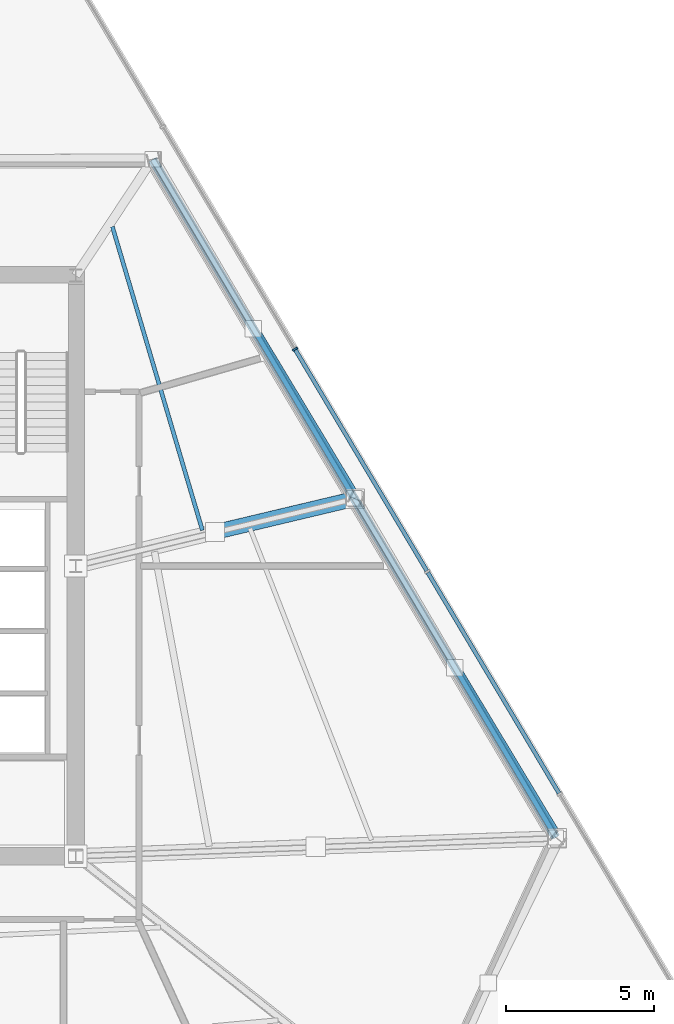
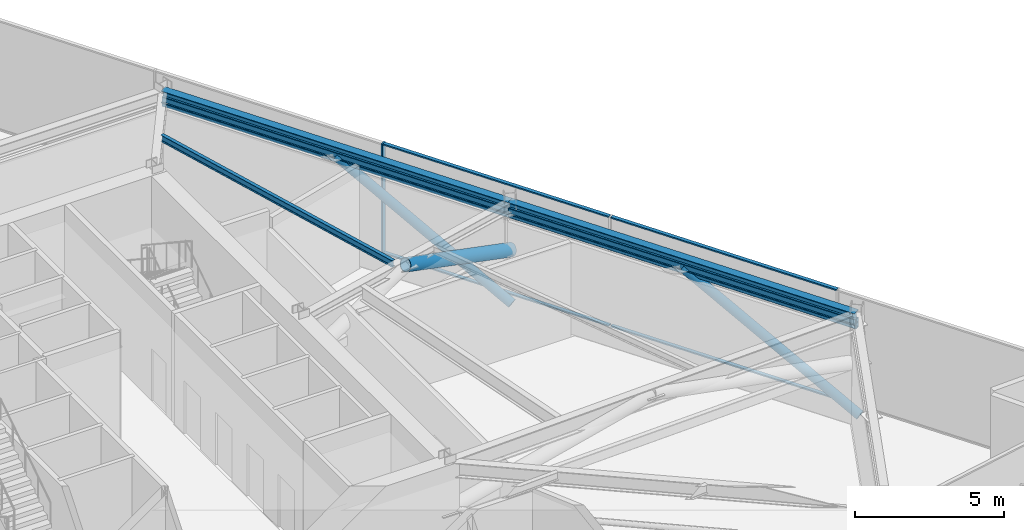
# One storey, part 6 of 16: 10 members, 3 beams, 1 element without a shape of its own.
"""IFC4 building model written with IfcOpenShell, lengths in metres."""

from ifc_helpers import new_model, si_unit, direction, frame, origin, origin_2d, place, context, subcontext, project, spatial, rectangle, hollow_rectangle, hollow_circle, i_section, extrude, material, material_profile, profile_set, type_object, element, aggregate, save


model = new_model("IFC4")

# Units and contexts
model_context = context("Model", 3, precision=1e-05, world=origin(), true_north=direction((0.0, 1.0)))
body_context = subcontext(model_context, "Body", "Model", "MODEL_VIEW")
ifc_project = project(units=[si_unit("LENGTHUNIT", "METRE"), si_unit("AREAUNIT", "SQUARE_METRE"), si_unit("VOLUMEUNIT", "CUBIC_METRE"), si_unit("PLANEANGLEUNIT", "RADIAN"), si_unit("MASSUNIT", "GRAM", prefix="KILO")], contexts=[model_context])

# Site, building, storey
site_placement = place(None, origin())
site = spatial("IfcSite", under=ifc_project, at=site_placement, CompositionType="ELEMENT")
building_placement = place(site_placement, origin())
building = spatial("IfcBuilding", under=site, at=building_placement, Name="Savorim Split Tower", CompositionType="ELEMENT")
storey_placement = place(building_placement, frame((0.0, 0.0, 73.199951171875)))
storey = spatial("IfcBuildingStorey", under=building, at=storey_placement, Name="L19", CompositionType="ELEMENT", Elevation=73.199951171875)

# Beams
ifc_material_1 = material(Name="Steel S355", Category="steel")
ifc_material_profile_1 = material_profile(ifc_material_1, i_section(OverallWidth=0.135009765625, OverallDepth=0.27001953125, WebThickness=0.006591796875, FlangeThickness=0.01025390625, FilletRadius=0.014892578125, at=origin_2d()), Name="IPE 270")
ifc_profile_set_1 = profile_set([ifc_material_profile_1], Name="Steel S355")
beam_type_1 = type_object("IfcBeamType", Name="BM-JST-IPE270", PredefinedType="JOIST", material=ifc_profile_set_1)
beam_1_placement = place(storey_placement, frame((11.97607421875, 1.60400390625, 4.364990234375), z_axis=(-0.284217436909, 0.958759849262, 0.0), x_axis=(-0.958759849262, -0.284217436909, 0.0)))
element("IfcBeam", 1, at=beam_1_placement, inside=storey, type_object=beam_type_1, Name="L19 Secondary Floor Joist JS-07", PredefinedType="JOIST", context=body_context, shape_type="SweptSolid", body=[
    extrude(i_section(OverallWidth=0.135009765625, OverallDepth=0.27001953125, WebThickness=0.006591796875, FlangeThickness=0.01025390625, FilletRadius=0.014892578125, at=origin_2d()), origin(), (0.0, 0.0, 1.0), 10.6875),
])
ifc_material_profile_2 = material_profile(ifc_material_1, i_section(OverallWidth=0.300048828125, OverallDepth=0.489990234375, WebThickness=0.011962890625, FlangeThickness=0.02294921875, FilletRadius=0.027099609375, at=origin_2d()), Name="HEA 500")
ifc_profile_set_2 = profile_set([ifc_material_profile_2], Name="Steel S355")
beam_type_2 = type_object("IfcBeamType", Name="BM-SPN-HEA500", PredefinedType="SPANDREL", material=ifc_profile_set_2)
beam_2_placement = place(storey_placement, frame((23.896240234375, -8.754638671875, 4.255126953125), z_axis=(-0.511089679196, 0.859527393292, 0.0), x_axis=(-0.859527393292, -0.511089679196, 0.0)))
element("IfcBeam", 2, at=beam_2_placement, inside=storey, type_object=beam_type_2, Name="L19 Perimeter Spandrel Beam 5", PredefinedType="SPANDREL", context=body_context, shape_type="SweptSolid", body=[
    extrude(i_section(OverallWidth=0.300048828125, OverallDepth=0.489990234375, WebThickness=0.011962890625, FlangeThickness=0.02294921875, FilletRadius=0.027099609375, at=origin_2d()), origin(), (0.0, 0.0, 1.0), 13.307861328125),
])
beam_3_placement = place(storey_placement, frame((17.0947265625, 2.683837890625, 4.255126953125), z_axis=(-0.511097738436, 0.859522601079, 0.0), x_axis=(-0.859522601079, -0.511097738436, 0.0)))
element("IfcBeam", 3, at=beam_3_placement, inside=storey, type_object=beam_type_2, Name="L19 Perimeter Spandrel Beam 6", PredefinedType="SPANDREL", context=body_context, shape_type="SweptSolid", body=[
    extrude(i_section(OverallWidth=0.300048828125, OverallDepth=0.489990234375, WebThickness=0.011962890625, FlangeThickness=0.02294921875, FilletRadius=0.027099609375, at=origin_2d()), origin(), (0.0, 0.0, 1.0), 13.3076171875),
])

# Curtain wall, members
ifc_material_2 = material(Name="Dark Ceramic-Fritted Insulated Glass", Category="glass")
curtain_wall_type = type_object("IfcCurtainWallType", Name="CW-REFUGE-LVR", PredefinedType="NOTDEFINED", material=ifc_material_2)
curtain_wall_placement = place(storey_placement, origin())
curtain_wall = element("IfcCurtainWall", 4, at=curtain_wall_placement, inside=storey, type_object=curtain_wall_type, Name="L19 Curtain Wall CW-L19-EAST", PredefinedType="NOTDEFINED")
ifc_material_3 = material(Name="Charcoal Anodised Aluminium", Category="aluminium")
ifc_material_profile_3 = material_profile(ifc_material_3, rectangle(XDim=0.179931640625, YDim=0.06494140625, at=origin_2d()), Name="ALU-M 180x65")
ifc_profile_set_3 = profile_set([ifc_material_profile_3], Name="Charcoal Anodised Aluminium")
member_type_1 = type_object("IfcMemberType", Name="CWM-180x65", PredefinedType="MULLION", material=ifc_profile_set_3)
member_1_placement = place(storey_placement, frame((15.10205078125, 7.716796875, 0.0), z_axis=(0.0, 0.0, 1.0), x_axis=(-0.85952523283, -0.511093312545, 0.0)))
member_1 = element("IfcMember", 5, at=member_1_placement, type_object=member_type_1, Name="CW-06 mullion 4", PredefinedType="MULLION", context=body_context, shape_type="SweptSolid", body=[
    extrude(rectangle(XDim=0.179931640625, YDim=0.06494140625, at=origin_2d()), origin(), (0.0, 0.0, 1.0), 4.5),
])
ifc_material_profile_4 = material_profile(ifc_material_3, rectangle(XDim=0.139892578125, YDim=0.054931640625, at=origin_2d()), Name="ALU-T 140x55")
ifc_profile_set_4 = profile_set([ifc_material_profile_4], Name="Charcoal Anodised Aluminium")
member_type_2 = type_object("IfcMemberType", Name="CWT-140x55", PredefinedType="USERDEFINED", material=ifc_profile_set_4)
member_2_placement = place(storey_placement, frame((24.015380859375, -7.27294921875, 0.027587890625), z_axis=(-0.511092259178, 0.859525859185, 0.0), x_axis=(-0.859525859185, -0.511092259178, 0.0)))
member_2 = element("IfcMember", 6, at=member_2_placement, type_object=member_type_2, Name="CW-06 transom 2.1", ObjectType="TRANSOM", PredefinedType="USERDEFINED", context=body_context, shape_type="SweptSolid", body=[
    extrude(rectangle(XDim=0.139892578125, YDim=0.054931640625, at=origin_2d()), origin(), (0.0, 0.0, 1.0), 8.6708984375),
])
member_3_placement = place(storey_placement, frame((24.015380859375, -7.27294921875, 4.47265625), z_axis=(-0.511092259178, 0.859525859185, 0.0), x_axis=(-0.859525859185, -0.511092259178, 0.0)))
member_3 = element("IfcMember", 7, at=member_3_placement, type_object=member_type_2, Name="CW-06 transom 2.2", ObjectType="TRANSOM", PredefinedType="USERDEFINED", context=body_context, shape_type="SweptSolid", body=[
    extrude(rectangle(XDim=0.139892578125, YDim=0.054931640625, at=origin_2d()), origin(), (0.0, 0.0, 1.0), 8.6708984375),
])
member_4_placement = place(storey_placement, frame((19.550537109375, 0.23583984375, 0.027587890625), z_axis=(-0.511113060136, 0.859513490155, 0.0), x_axis=(-0.859513490155, -0.511113060136, 0.0)))
member_4 = element("IfcMember", 8, at=member_4_placement, type_object=member_type_2, Name="CW-06 transom 3.1", ObjectType="TRANSOM", PredefinedType="USERDEFINED", context=body_context, shape_type="SweptSolid", body=[
    extrude(rectangle(XDim=0.139892578125, YDim=0.054931640625, at=origin_2d()), origin(), (0.0, 0.0, 1.0), 8.671142578125),
])
member_5_placement = place(storey_placement, frame((19.550537109375, 0.23583984375, 4.47265625), z_axis=(-0.511113060136, 0.859513490155, 0.0), x_axis=(-0.859513490155, -0.511113060136, 0.0)))
member_5 = element("IfcMember", 9, at=member_5_placement, type_object=member_type_2, Name="CW-06 transom 3.2", ObjectType="TRANSOM", PredefinedType="USERDEFINED", context=body_context, shape_type="SweptSolid", body=[
    extrude(rectangle(XDim=0.139892578125, YDim=0.054931640625, at=origin_2d()), origin(), (0.0, 0.0, 1.0), 8.671142578125),
])
aggregate(curtain_wall, [member_1, member_2, member_3, member_4, member_5])

# Members
ifc_material_4 = material(Name="Steel S460", Category="steel")
ifc_material_profile_5 = material_profile(ifc_material_4, hollow_circle(Radius=0.177734375, WallThickness=0.02001953125, at=origin_2d()), Name="CHS 355.6x20")
ifc_profile_set_5 = profile_set([ifc_material_profile_5], Name="Steel S460")
member_type_3 = type_object("IfcMemberType", Name="MBR-BLT-CHS355", PredefinedType="BRACE", material=ifc_profile_set_5)
member_6_placement = place(storey_placement, frame((23.987060546875, -8.82958984375, 0.280029296875), z_axis=(-0.451402218869, 0.749117464542, 0.484828898806), x_axis=(-0.856516965769, -0.5161188694, 0.0)))
element("IfcMember", 10, at=member_6_placement, inside=storey, type_object=member_type_3, Name="L19 Perimeter Belt Truss Brace 5A", PredefinedType="BRACE", context=body_context, shape_type="SweptSolid", body=[
    extrude(hollow_circle(Radius=0.177734375, WallThickness=0.02001953125, at=origin_2d()), origin(), (0.0, 0.0, 1.0), 7.734619140625),
])
member_7_placement = place(storey_placement, frame((17.16064453125, 2.650634765625, 0.280029296875), z_axis=(-0.450657672849, 0.747827036247, 0.487506293046), x_axis=(-0.856500237733, -0.516146629131, 0.0)))
element("IfcMember", 11, at=member_7_placement, inside=storey, type_object=member_type_3, Name="L19 Perimeter Belt Truss Brace 6A", PredefinedType="BRACE", context=body_context, shape_type="SweptSolid", body=[
    extrude(hollow_circle(Radius=0.177734375, WallThickness=0.02001953125, at=origin_2d()), origin(), (0.0, 0.0, 1.0), 7.692138671875),
])
ifc_material_profile_6 = material_profile(ifc_material_4, hollow_rectangle(XDim=0.199951171875, YDim=0.39990234375, WallThickness=0.01611328125, InnerFilletRadius=0.01611328125, OuterFilletRadius=0.031982421875, at=origin_2d()), Name="RHS 400x200x16")
ifc_profile_set_6 = profile_set([ifc_material_profile_6], Name="Steel S460")
member_type_4 = type_object("IfcMemberType", Name="MBR-CHD-RHS400", PredefinedType="CHORD", material=ifc_profile_set_6)
member_8_placement = place(storey_placement, frame((23.911865234375, -8.767333984375, 4.030029296875), z_axis=(-0.511099920598, 0.859521303497, 0.0), x_axis=(-0.859521303497, -0.511099920598, 0.0)))
element("IfcMember", 12, at=member_8_placement, inside=storey, type_object=member_type_4, Name="L19 Perimeter Belt Truss Chord 5", PredefinedType="CHORD", context=body_context, shape_type="SweptSolid", body=[
    extrude(hollow_rectangle(XDim=0.199951171875, YDim=0.39990234375, WallThickness=0.01611328125, InnerFilletRadius=0.01611328125, OuterFilletRadius=0.031982421875, at=origin_2d()), origin(), (0.0, 0.0, 1.0), 13.316162109375),
])
member_9_placement = place(storey_placement, frame((17.10595703125, 2.67822265625, 4.030029296875), z_axis=(-0.511094429832, 0.859524568465, 0.0), x_axis=(-0.859524568465, -0.511094429832, 0.0)))
element("IfcMember", 13, at=member_9_placement, inside=storey, type_object=member_type_4, Name="L19 Perimeter Belt Truss Chord 6", PredefinedType="CHORD", context=body_context, shape_type="SweptSolid", body=[
    extrude(hollow_rectangle(XDim=0.199951171875, YDim=0.39990234375, WallThickness=0.01611328125, InnerFilletRadius=0.01611328125, OuterFilletRadius=0.031982421875, at=origin_2d()), origin(), (0.0, 0.0, 1.0), 13.31591796875),
])
ifc_material_profile_7 = material_profile(ifc_material_4, hollow_circle(Radius=0.25390625, WallThickness=0.02490234375, at=origin_2d()), Name="CHS 508x25")
ifc_profile_set_7 = profile_set([ifc_material_profile_7], Name="Steel S460")
member_type_5 = type_object("IfcMemberType", Name="MBR-OUT-CHS508", PredefinedType="BRACE", material=ifc_profile_set_7)
member_10_placement = place(storey_placement, frame((12.3974609375, 1.5419921875, 4.199951171875), z_axis=(0.917208859335, 0.21804949765, -0.333440136953), x_axis=(-0.231285682609, 0.972885878724, 0.0)))
element("IfcMember", 14, at=member_10_placement, inside=storey, type_object=member_type_5, Name="L19 Outrigger Truss Diagonal E2-B", PredefinedType="BRACE", context=body_context, shape_type="SweptSolid", body=[
    extrude(hollow_circle(Radius=0.25390625, WallThickness=0.02490234375, at=origin_2d()), origin(), (0.0, 0.0, 1.0), 5.158203125),
])

save(model, "model.ifc")
